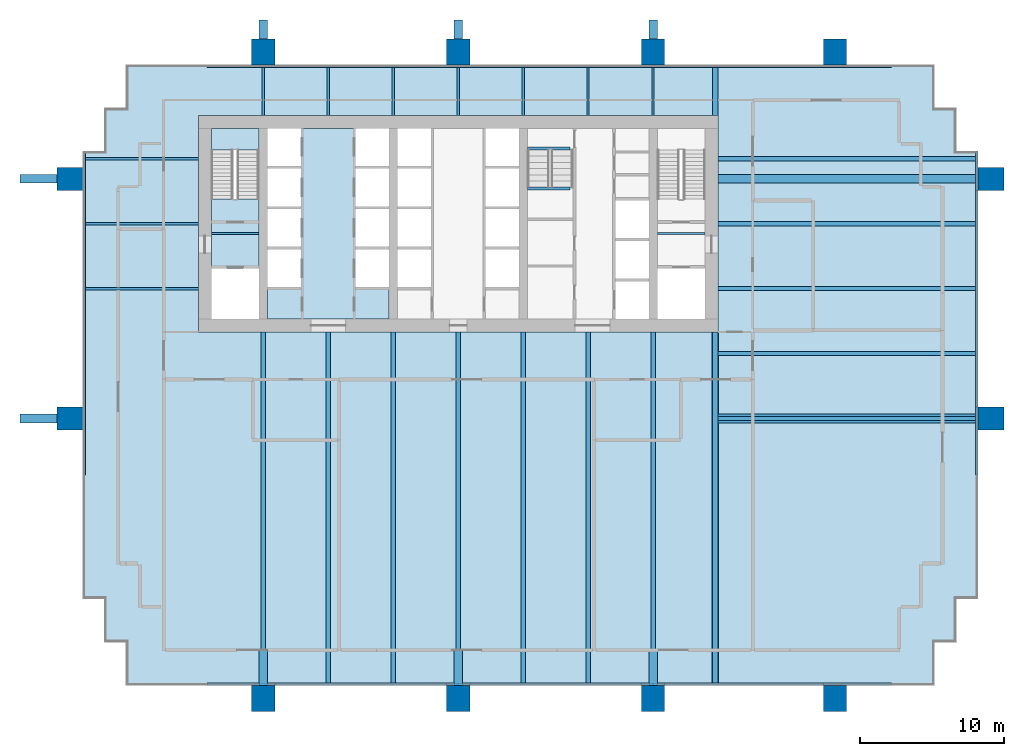
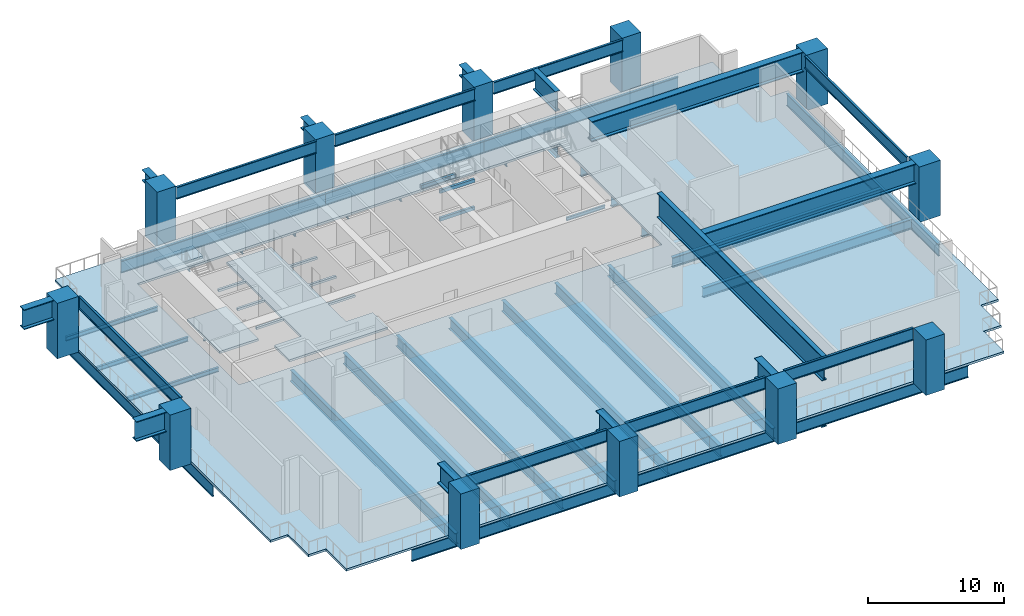
# One storey, part 1 of 9: 57 beams, 12 columns, 4 slabs, 1 element without a shape of its own.
"""IFC4 building model written with IfcOpenShell, lengths in metres."""

from ifc_helpers import new_model, si_unit, direction, frame, origin, origin_2d, place, context, subcontext, project, spatial, polyline, rectangle, i_section, outline, extrude, material, layer, layer_set, material_profile, profile_set, type_object, element, aggregate, save


model = new_model("IFC4")

# Units and contexts
model_context = context("Model", 3, precision=1e-05, world=origin(), true_north=direction((0.0, 1.0)))
body_context = subcontext(model_context, "Body", "Model", "MODEL_VIEW")
ifc_project = project(units=[si_unit("LENGTHUNIT", "METRE"), si_unit("AREAUNIT", "SQUARE_METRE"), si_unit("VOLUMEUNIT", "CUBIC_METRE"), si_unit("PLANEANGLEUNIT", "RADIAN"), si_unit("MASSUNIT", "GRAM", prefix="KILO")], contexts=[model_context])

# Site, building, storey
site_placement = place(None, origin())
site = spatial("IfcSite", under=ifc_project, at=site_placement, CompositionType="ELEMENT")
building_placement = place(site_placement, origin())
building = spatial("IfcBuilding", under=site, at=building_placement, Name="Rattan Terrace Tower", CompositionType="ELEMENT")
storey_placement = place(building_placement, frame((0.0, 0.0, 115.699951171875)))
storey = spatial("IfcBuildingStorey", under=building, at=storey_placement, Name="L26", CompositionType="ELEMENT", Elevation=115.699951171875)

# Columns
ifc_material_1 = material(Name="Concrete C60/75", Category="concrete")
ifc_material_profile_1 = material_profile(ifc_material_1, rectangle(XDim=1.60009765625, YDim=1.800048828125, at=origin_2d()), Name="CFT 1800x1600")
ifc_profile_set_1 = profile_set([ifc_material_profile_1], Name="Concrete C60/75")
column_type = type_object("IfcColumnType", Name="Frame exoskeleton column CFT 1800x1600", PredefinedType="COLUMN", material=ifc_profile_set_1)
for number, where, z_axis, x_axis, name in (
    (1, (-13.5, -32.89990234375, -0.199951171875), (0.0, 0.0, 1.0), (1.0, 0.0, 0.0), "exo-L26-001"),
    (2, (0.0, -32.89990234375, -0.199951171875), (0.0, 0.0, 1.0), (1.0, 0.0, 0.0), "exo-L26-002"),
    (3, (13.5, -32.89990234375, -0.199951171875), (0.0, 0.0, 1.0), (1.0, 0.0, 0.0), "exo-L26-003"),
    (4, (26.10009765625, -32.89990234375, -0.199951171875), (0.0, 0.0, 1.0), (1.0, 0.0, 0.0), "exo-L26-004"),
    (5, (-26.89990234375, -13.5, -0.199951171875), (0.0, 0.0, 1.0), (0.0, 1.0, 0.0), "exo-L26-005"),
    (6, (36.89990234375, -13.5, -0.199951171875), (0.0, 0.0, 1.0), (0.0, 1.0, 0.0), "exo-L26-006"),
    (7, (-26.89990234375, 3.10009765625, -0.199951171875), (0.0, 0.0, 1.0), (0.0, 1.0, 0.0), "exo-L26-007"),
    (8, (36.89990234375, 3.10009765625, -0.199951171875), (0.0, 0.0, 1.0), (0.0, 1.0, 0.0), "exo-L26-008"),
    (9, (-13.5, 11.89990234375, -0.199951171875), (0.0, 0.0, 1.0), (1.0, 0.0, 0.0), "exo-L26-009"),
    (10, (0.0, 11.89990234375, -0.199951171875), (0.0, 0.0, 1.0), (1.0, 0.0, 0.0), "exo-L26-010"),
    (11, (13.5, 11.89990234375, -0.199951171875), (0.0, 0.0, 1.0), (1.0, 0.0, 0.0), "exo-L26-011"),
    (12, (26.10009765625, 11.89990234375, -0.199951171875), (0.0, 0.0, 1.0), (1.0, 0.0, 0.0), "exo-L26-012"),
):
    element("IfcColumn", number, at=place(storey_placement, frame(where, z_axis=z_axis, x_axis=x_axis)), inside=storey, type_object=column_type, Name=name, PredefinedType="COLUMN", context=body_context, shape_type="SweptSolid", body=[
        extrude(rectangle(XDim=1.60009765625, YDim=1.800048828125, at=origin_2d()), origin(), (0.0, 0.0, 1.0), 5.0),
    ])

# Beams
ifc_material_2 = material(Name="Concrete C40/50", Category="concrete")
ifc_material_profile_2 = material_profile(ifc_material_2, rectangle(XDim=0.199951171875, YDim=0.300048828125, at=origin_2d()), Name="RC 200x300")
ifc_profile_set_2 = profile_set([ifc_material_profile_2], Name="Concrete C40/50")
beam_type_1 = type_object("IfcBeamType", Name="Core landing beam RC 200x300", PredefinedType="BEAM", material=ifc_profile_set_2)
for number, where, z_axis, x_axis, name in (
    (13, (4.800048828125, 2.419921875, 0.900146484375), (1.0, 0.0, 0.0), (0.0, 1.0, 0.0), "st-S3-L26 landing 1 edge beam"),
    (14, (4.800048828125, 5.199951171875, 2.150146484375), (1.0, 0.0, 0.0), (0.0, 1.0, 0.0), "st-S3-L26 landing 2 edge beam"),
    (15, (4.800048828125, 2.419921875, 3.400146484375), (1.0, 0.0, 0.0), (0.0, 1.0, 0.0), "st-S3-L26 landing 3 edge beam"),
):
    element("IfcBeam", number, at=place(storey_placement, frame(where, z_axis=z_axis, x_axis=x_axis)), inside=storey, type_object=beam_type_1, Name=name, PredefinedType="BEAM", context=body_context, shape_type="SweptSolid", body=[
        extrude(rectangle(XDim=0.199951171875, YDim=0.300048828125, at=origin_2d()), origin(), (0.0, 0.0, 1.0), 2.949951171875),
    ])
ifc_material_3 = material(Name="Steel S460", Category="steel")
ifc_material_profile_3 = material_profile(ifc_material_3, i_section(OverallWidth=0.39990234375, OverallDepth=1.0, WebThickness=0.01806640625, FlangeThickness=0.044921875, at=origin_2d()), Name="PG 1000x400-18-45")
ifc_profile_set_3 = profile_set([ifc_material_profile_3], Name="Steel S460")
beam_type_2 = type_object("IfcBeamType", Name="Frame core girder PG 1000x400-18-45", PredefinedType="BEAM", material=ifc_profile_set_3)
beam_1_placement = place(storey_placement, frame((17.800048828125, 7.5, -0.699951171875), z_axis=(0.0, 1.0, 0.0), x_axis=(-1.0, 0.0, 0.0)))
element("IfcBeam", 16, at=beam_1_placement, inside=storey, type_object=beam_type_2, Name="gdr-L26-010", PredefinedType="BEAM", context=body_context, shape_type="SweptSolid", body=[
    extrude(i_section(OverallWidth=0.39990234375, OverallDepth=1.0, WebThickness=0.01806640625, FlangeThickness=0.044921875, at=origin_2d()), origin(), (0.0, 0.0, 1.0), 3.320068359375),
])
ifc_material_4 = material(Name="Steel S460", Category="steel")
ifc_material_profile_4 = material_profile(ifc_material_4, i_section(OverallWidth=0.449951171875, OverallDepth=1.39990234375, WebThickness=0.02197265625, FlangeThickness=0.054931640625, at=origin_2d()), Name="PG 1400x450-22-55")
ifc_profile_set_4 = profile_set([ifc_material_profile_4], Name="Steel S460")
beam_type_3 = type_object("IfcBeamType", Name="Frame core girder PG 1400x450-22-55", PredefinedType="BEAM", material=ifc_profile_set_4)
beam_2_placement = place(storey_placement, frame((17.800048828125, -31.820068359375, -0.89990234375), z_axis=(0.0, 1.0, 0.0), x_axis=(-1.0, 0.0, 0.0)))
element("IfcBeam", 17, at=beam_2_placement, inside=storey, type_object=beam_type_3, Name="gdr-L26-009", PredefinedType="BEAM", context=body_context, shape_type="SweptSolid", body=[
    extrude(i_section(OverallWidth=0.449951171875, OverallDepth=1.39990234375, WebThickness=0.02197265625, FlangeThickness=0.054931640625, at=origin_2d()), origin(), (0.0, 0.0, 1.0), 24.320068359375),
])
ifc_material_5 = material(Name="Steel S460", Category="steel")
ifc_material_profile_5 = material_profile(ifc_material_5, i_section(OverallWidth=0.179931640625, OverallDepth=1.10009765625, WebThickness=0.01611328125, FlangeThickness=0.050048828125, at=origin_2d()), Name="PG 1100x180-16-50")
ifc_profile_set_5 = profile_set([ifc_material_profile_5], Name="Steel S460")
beam_type_4 = type_object("IfcBeamType", Name="Frame edge girder PG 1100x180-16-50", PredefinedType="SPANDREL", material=ifc_profile_set_5)
beam_3_placement = place(storey_placement, frame((-17.39990234375, -31.909912109375, -0.75), z_axis=(1.0, 0.0, 0.0), x_axis=(0.0, 1.0, 0.0)))
element("IfcBeam", 18, at=beam_3_placement, inside=storey, type_object=beam_type_4, Name="gdr-L26-001", PredefinedType="SPANDREL", context=body_context, shape_type="SweptSolid", body=[
    extrude(i_section(OverallWidth=0.179931640625, OverallDepth=1.10009765625, WebThickness=0.01611328125, FlangeThickness=0.050048828125, at=origin_2d()), origin(), (0.0, 0.0, 1.0), 17.39990234375),
])
beam_4_placement = place(storey_placement, frame((0.0, -31.909912109375, -0.75), z_axis=(1.0, 0.0, 0.0), x_axis=(0.0, 1.0, 0.0)))
element("IfcBeam", 19, at=beam_4_placement, inside=storey, type_object=beam_type_4, Name="gdr-L26-002", PredefinedType="SPANDREL", context=body_context, shape_type="SweptSolid", body=[
    extrude(i_section(OverallWidth=0.179931640625, OverallDepth=1.10009765625, WebThickness=0.01611328125, FlangeThickness=0.050048828125, at=origin_2d()), origin(), (0.0, 0.0, 1.0), 13.5),
])
beam_5_placement = place(storey_placement, frame((30.0, -31.909912109375, -0.75), z_axis=(-1.0, 0.0, 0.0), x_axis=(0.0, -1.0, 0.0)))
element("IfcBeam", 20, at=beam_5_placement, inside=storey, type_object=beam_type_4, Name="gdr-L26-003", PredefinedType="SPANDREL", context=body_context, shape_type="SweptSolid", body=[
    extrude(i_section(OverallWidth=0.179931640625, OverallDepth=1.10009765625, WebThickness=0.01611328125, FlangeThickness=0.050048828125, at=origin_2d()), origin(), (0.0, 0.0, 1.0), 16.5),
])
for number, where, z_axis, x_axis, name in (
    (21, (-25.909912109375, -17.39990234375, -0.75), (0.0, 1.0, 0.0), (-1.0, 0.0, 0.0), "gdr-L26-004"),
    (22, (35.909912109375, 5.0, -0.75), (0.0, -1.0, 0.0), (1.0, 0.0, 0.0), "gdr-L26-005"),
):
    element("IfcBeam", number, at=place(storey_placement, frame(where, z_axis=z_axis, x_axis=x_axis)), inside=storey, type_object=beam_type_4, Name=name, PredefinedType="SPANDREL", context=body_context, shape_type="SweptSolid", body=[
        extrude(i_section(OverallWidth=0.179931640625, OverallDepth=1.10009765625, WebThickness=0.01611328125, FlangeThickness=0.050048828125, at=origin_2d()), origin(), (0.0, 0.0, 1.0), 22.39990234375),
    ])
beam_6_placement = place(storey_placement, frame((-17.39990234375, 10.909912109375, -0.75), z_axis=(1.0, 0.0, 0.0), x_axis=(0.0, 1.0, 0.0)))
element("IfcBeam", 23, at=beam_6_placement, inside=storey, type_object=beam_type_4, Name="gdr-L26-006", PredefinedType="SPANDREL", context=body_context, shape_type="SweptSolid", body=[
    extrude(i_section(OverallWidth=0.179931640625, OverallDepth=1.10009765625, WebThickness=0.01611328125, FlangeThickness=0.050048828125, at=origin_2d()), origin(), (0.0, 0.0, 1.0), 17.39990234375),
])
beam_7_placement = place(storey_placement, frame((13.5, 10.909912109375, -0.75), z_axis=(-1.0, 0.0, 0.0), x_axis=(0.0, -1.0, 0.0)))
element("IfcBeam", 24, at=beam_7_placement, inside=storey, type_object=beam_type_4, Name="gdr-L26-007", PredefinedType="SPANDREL", context=body_context, shape_type="SweptSolid", body=[
    extrude(i_section(OverallWidth=0.179931640625, OverallDepth=1.10009765625, WebThickness=0.01611328125, FlangeThickness=0.050048828125, at=origin_2d()), origin(), (0.0, 0.0, 1.0), 13.5),
])
beam_8_placement = place(storey_placement, frame((30.0, 10.909912109375, -0.75), z_axis=(-1.0, 0.0, 0.0), x_axis=(0.0, -1.0, 0.0)))
element("IfcBeam", 25, at=beam_8_placement, inside=storey, type_object=beam_type_4, Name="gdr-L26-008", PredefinedType="SPANDREL", context=body_context, shape_type="SweptSolid", body=[
    extrude(i_section(OverallWidth=0.179931640625, OverallDepth=1.10009765625, WebThickness=0.01611328125, FlangeThickness=0.050048828125, at=origin_2d()), origin(), (0.0, 0.0, 1.0), 16.5),
])
ifc_material_6 = material(Name="Steel S355", Category="steel")
ifc_material_profile_6 = material_profile(ifc_material_6, i_section(OverallWidth=0.300048828125, OverallDepth=0.89990234375, WebThickness=0.0185546875, FlangeThickness=0.034912109375, FilletRadius=0.030029296875, at=origin_2d()), Name="HE 900 B")
ifc_profile_set_6 = profile_set([ifc_material_profile_6], Name="Steel S355")
beam_type_5 = type_object("IfcBeamType", Name="Frame floor beam HE 900 B", PredefinedType="JOIST", material=ifc_profile_set_6)
for number, where, z_axis, x_axis, name in (
    (26, (18.0, -13.5, -0.64990234375), (1.0, 0.0, 0.0), (0.0, 1.0, 0.0), "bm-L26-010"),
    (27, (18.0, -9.0, -0.64990234375), (1.0, 0.0, 0.0), (0.0, 1.0, 0.0), "bm-L26-011"),
    (28, (18.0, -4.5, -0.64990234375), (1.0, 0.0, 0.0), (0.0, 1.0, 0.0), "bm-L26-013"),
    (29, (18.0, 0.0, -0.64990234375), (1.0, 0.0, 0.0), (0.0, 1.0, 0.0), "bm-L26-015"),
    (30, (18.0, 4.5, -0.64990234375), (1.0, 0.0, 0.0), (0.0, 1.0, 0.0), "bm-L26-017"),
):
    element("IfcBeam", number, at=place(storey_placement, frame(where, z_axis=z_axis, x_axis=x_axis)), inside=storey, type_object=beam_type_5, Name=name, PredefinedType="JOIST", context=body_context, shape_type="SweptSolid", body=[
        extrude(i_section(OverallWidth=0.300048828125, OverallDepth=0.89990234375, WebThickness=0.0185546875, FlangeThickness=0.034912109375, FilletRadius=0.030029296875, at=origin_2d()), origin(), (0.0, 0.0, 1.0), 17.820068359375),
    ])
ifc_material_7 = material(Name="Steel S355", Category="steel")
ifc_material_profile_7 = material_profile(ifc_material_7, i_section(OverallWidth=0.14990234375, OverallDepth=0.300048828125, WebThickness=0.007080078125, FlangeThickness=0.0107421875, FilletRadius=0.014892578125, at=origin_2d()), Name="IPE 300")
ifc_profile_set_7 = profile_set([ifc_material_profile_7], Name="Steel S355")
beam_type_6 = type_object("IfcBeamType", Name="Frame floor beam IPE 300", PredefinedType="JOIST", material=ifc_profile_set_7)
for number, where, z_axis, x_axis, name in (
    (31, (-17.10009765625, -0.695068359375, -0.349853515625), (1.0, 0.0, 0.0), (0.0, 1.0, 0.0), "bm-L26-001"),
    (32, (13.800048828125, -0.695068359375, -0.349853515625), (1.0, 0.0, 0.0), (0.0, 1.0, 0.0), "bm-L26-002"),
):
    element("IfcBeam", number, at=place(storey_placement, frame(where, z_axis=z_axis, x_axis=x_axis)), inside=storey, type_object=beam_type_6, Name=name, PredefinedType="JOIST", context=body_context, shape_type="SweptSolid", body=[
        extrude(i_section(OverallWidth=0.14990234375, OverallDepth=0.300048828125, WebThickness=0.007080078125, FlangeThickness=0.0107421875, FilletRadius=0.014892578125, at=origin_2d()), origin(), (0.0, 0.0, 1.0), 3.300048828125),
    ])
for number, where, z_axis, x_axis, name in (
    (33, (-13.5, 7.5, -0.349853515625), (0.0, 1.0, 0.0), (-1.0, 0.0, 0.0), "bm-L26-018"),
    (34, (-9.0, 7.5, -0.349853515625), (0.0, 1.0, 0.0), (-1.0, 0.0, 0.0), "bm-L26-019"),
    (35, (-4.5, 7.5, -0.349853515625), (0.0, 1.0, 0.0), (-1.0, 0.0, 0.0), "bm-L26-020"),
    (36, (0.0, 7.5, -0.349853515625), (0.0, 1.0, 0.0), (-1.0, 0.0, 0.0), "bm-L26-021"),
    (37, (4.5, 7.5, -0.349853515625), (0.0, 1.0, 0.0), (-1.0, 0.0, 0.0), "bm-L26-022"),
    (38, (9.0, 7.5, -0.349853515625), (0.0, 1.0, 0.0), (-1.0, 0.0, 0.0), "bm-L26-023"),
    (39, (13.5, 7.5, -0.349853515625), (0.0, 1.0, 0.0), (-1.0, 0.0, 0.0), "bm-L26-024"),
):
    element("IfcBeam", number, at=place(storey_placement, frame(where, z_axis=z_axis, x_axis=x_axis)), inside=storey, type_object=beam_type_6, Name=name, PredefinedType="JOIST", context=body_context, shape_type="SweptSolid", body=[
        extrude(i_section(OverallWidth=0.14990234375, OverallDepth=0.300048828125, WebThickness=0.007080078125, FlangeThickness=0.0107421875, FilletRadius=0.014892578125, at=origin_2d()), origin(), (0.0, 0.0, 1.0), 3.320068359375),
    ])
ifc_material_8 = material(Name="Steel S355", Category="steel")
ifc_material_profile_8 = material_profile(ifc_material_8, i_section(OverallWidth=0.179931640625, OverallDepth=0.39990234375, WebThickness=0.008544921875, FlangeThickness=0.013427734375, FilletRadius=0.02099609375, at=origin_2d()), Name="IPE 400")
ifc_profile_set_8 = profile_set([ifc_material_profile_8], Name="Steel S355")
beam_type_7 = type_object("IfcBeamType", Name="Frame floor beam IPE 400", PredefinedType="JOIST", material=ifc_profile_set_8)
for number, where, z_axis, x_axis, name in (
    (40, (-25.820068359375, -4.5, -0.39990234375), (1.0, 0.0, 0.0), (0.0, 1.0, 0.0), "bm-L26-012"),
    (41, (-25.820068359375, 0.0, -0.39990234375), (1.0, 0.0, 0.0), (0.0, 1.0, 0.0), "bm-L26-014"),
    (42, (-25.820068359375, 4.5, -0.39990234375), (1.0, 0.0, 0.0), (0.0, 1.0, 0.0), "bm-L26-016"),
):
    element("IfcBeam", number, at=place(storey_placement, frame(where, z_axis=z_axis, x_axis=x_axis)), inside=storey, type_object=beam_type_7, Name=name, PredefinedType="JOIST", context=body_context, shape_type="SweptSolid", body=[
        extrude(i_section(OverallWidth=0.179931640625, OverallDepth=0.39990234375, WebThickness=0.008544921875, FlangeThickness=0.013427734375, FilletRadius=0.02099609375, at=origin_2d()), origin(), (0.0, 0.0, 1.0), 7.820068359375),
    ])
ifc_material_9 = material(Name="Steel S460", Category="steel")
ifc_material_profile_9 = material_profile(ifc_material_9, i_section(OverallWidth=0.300048828125, OverallDepth=1.0, WebThickness=0.013916015625, FlangeThickness=0.0400390625, at=origin_2d()), Name="PG 1000x300-14-40")
ifc_profile_set_9 = profile_set([ifc_material_profile_9], Name="Steel S460")
beam_type_8 = type_object("IfcBeamType", Name="Frame floor beam PG 1000x300-14-40", PredefinedType="JOIST", material=ifc_profile_set_9)
for number, where, z_axis, x_axis, name in (
    (43, (-13.5, -31.820068359375, -0.699951171875), (0.0, 1.0, 0.0), (-1.0, 0.0, 0.0), "bm-L26-003"),
    (44, (-9.0, -31.820068359375, -0.699951171875), (0.0, 1.0, 0.0), (-1.0, 0.0, 0.0), "bm-L26-004"),
    (45, (-4.5, -31.820068359375, -0.699951171875), (0.0, 1.0, 0.0), (-1.0, 0.0, 0.0), "bm-L26-005"),
    (46, (0.0, -31.820068359375, -0.699951171875), (0.0, 1.0, 0.0), (-1.0, 0.0, 0.0), "bm-L26-006"),
    (47, (4.5, -31.820068359375, -0.699951171875), (0.0, 1.0, 0.0), (-1.0, 0.0, 0.0), "bm-L26-007"),
    (48, (9.0, -31.820068359375, -0.699951171875), (0.0, 1.0, 0.0), (-1.0, 0.0, 0.0), "bm-L26-008"),
    (49, (13.5, -31.820068359375, -0.699951171875), (0.0, 1.0, 0.0), (-1.0, 0.0, 0.0), "bm-L26-009"),
):
    element("IfcBeam", number, at=place(storey_placement, frame(where, z_axis=z_axis, x_axis=x_axis)), inside=storey, type_object=beam_type_8, Name=name, PredefinedType="JOIST", context=body_context, shape_type="SweptSolid", body=[
        extrude(i_section(OverallWidth=0.300048828125, OverallDepth=1.0, WebThickness=0.013916015625, FlangeThickness=0.0400390625, at=origin_2d()), origin(), (0.0, 0.0, 1.0), 24.320068359375),
    ])
ifc_material_10 = material(Name="Steel S460", Category="steel")
ifc_material_profile_10 = material_profile(ifc_material_10, i_section(OverallWidth=0.60009765625, OverallDepth=1.0, WebThickness=0.0400390625, FlangeThickness=0.070068359375, at=origin_2d()), Name="PG 1000x600-40-70")
ifc_profile_set_10 = profile_set([ifc_material_profile_10], Name="Steel S460")
beam_type_9 = type_object("IfcBeamType", Name="Frame transfer girder PG 1000x600-40-70", PredefinedType="USERDEFINED", material=ifc_profile_set_10)
for number, where, z_axis, x_axis, name in (
    (50, (-13.5, 12.800048828125, 4.300048828125), (0.0, 1.0, 0.0), (-1.0, 0.0, 0.0), "trf-L26-016"),
    (51, (0.0, 12.800048828125, 4.300048828125), (0.0, 1.0, 0.0), (-1.0, 0.0, 0.0), "trf-L26-018"),
    (52, (13.5, 12.800048828125, 4.300048828125), (0.0, 1.0, 0.0), (-1.0, 0.0, 0.0), "trf-L26-020"),
):
    element("IfcBeam", number, at=place(storey_placement, frame(where, z_axis=z_axis, x_axis=x_axis)), inside=storey, type_object=beam_type_9, Name=name, ObjectType="TRANSFER GIRDER", PredefinedType="USERDEFINED", context=body_context, shape_type="SweptSolid", body=[
        extrude(i_section(OverallWidth=0.60009765625, OverallDepth=1.0, WebThickness=0.0400390625, FlangeThickness=0.070068359375, at=origin_2d()), origin(), (0.0, 0.0, 1.0), 1.300048828125),
    ])
ifc_material_11 = material(Name="Steel S460", Category="steel")
ifc_material_profile_11 = material_profile(ifc_material_11, i_section(OverallWidth=0.179931640625, OverallDepth=1.10009765625, WebThickness=0.01611328125, FlangeThickness=0.050048828125, at=origin_2d()), Name="PG 1100x180-16-50")
ifc_profile_set_11 = profile_set([ifc_material_profile_11], Name="Steel S460")
beam_type_10 = type_object("IfcBeamType", Name="Frame transfer girder PG 1100x180-16-50", PredefinedType="USERDEFINED", material=ifc_profile_set_11)
beam_9_placement = place(storey_placement, frame((35.909912109375, -12.699951171875, 4.25), z_axis=(0.0, 1.0, 0.0), x_axis=(-1.0, 0.0, 0.0)))
element("IfcBeam", 53, at=beam_9_placement, inside=storey, type_object=beam_type_10, Name="trf-L26-001", ObjectType="TRANSFER GIRDER", PredefinedType="USERDEFINED", context=body_context, shape_type="SweptSolid", body=[
    extrude(i_section(OverallWidth=0.179931640625, OverallDepth=1.10009765625, WebThickness=0.01611328125, FlangeThickness=0.050048828125, at=origin_2d()), origin(), (0.0, 0.0, 1.0), 15.0),
])
beam_10_placement = place(storey_placement, frame((25.300048828125, 10.909912109375, 4.25), z_axis=(-1.0, 0.0, 0.0), x_axis=(0.0, -1.0, 0.0)))
element("IfcBeam", 54, at=beam_10_placement, inside=storey, type_object=beam_type_10, Name="trf-L26-002", ObjectType="TRANSFER GIRDER", PredefinedType="USERDEFINED", context=body_context, shape_type="SweptSolid", body=[
    extrude(i_section(OverallWidth=0.179931640625, OverallDepth=1.10009765625, WebThickness=0.01611328125, FlangeThickness=0.050048828125, at=origin_2d()), origin(), (0.0, 0.0, 1.0), 11.0),
])
for number, where, z_axis, x_axis, name in (
    (55, (12.699951171875, 10.909912109375, 4.25), (-1.0, 0.0, 0.0), (0.0, -1.0, 0.0), "trf-L26-003"),
    (56, (-0.800048828125, 10.909912109375, 4.25), (-1.0, 0.0, 0.0), (0.0, -1.0, 0.0), "trf-L26-004"),
):
    element("IfcBeam", number, at=place(storey_placement, frame(where, z_axis=z_axis, x_axis=x_axis)), inside=storey, type_object=beam_type_10, Name=name, ObjectType="TRANSFER GIRDER", PredefinedType="USERDEFINED", context=body_context, shape_type="SweptSolid", body=[
        extrude(i_section(OverallWidth=0.179931640625, OverallDepth=1.10009765625, WebThickness=0.01611328125, FlangeThickness=0.050048828125, at=origin_2d()), origin(), (0.0, 0.0, 1.0), 11.89990234375),
    ])
beam_11_placement = place(storey_placement, frame((-25.909912109375, 2.300048828125, 4.25), z_axis=(0.0, -1.0, 0.0), x_axis=(1.0, 0.0, 0.0)))
element("IfcBeam", 57, at=beam_11_placement, inside=storey, type_object=beam_type_10, Name="trf-L26-005", ObjectType="TRANSFER GIRDER", PredefinedType="USERDEFINED", context=body_context, shape_type="SweptSolid", body=[
    extrude(i_section(OverallWidth=0.179931640625, OverallDepth=1.10009765625, WebThickness=0.01611328125, FlangeThickness=0.050048828125, at=origin_2d()), origin(), (0.0, 0.0, 1.0), 15.0),
])
for number, where, z_axis, x_axis, name in (
    (58, (-12.699951171875, -31.909912109375, 4.25), (1.0, 0.0, 0.0), (0.0, 1.0, 0.0), "trf-L26-006"),
    (59, (0.800048828125, -31.909912109375, 4.25), (1.0, 0.0, 0.0), (0.0, 1.0, 0.0), "trf-L26-007"),
):
    element("IfcBeam", number, at=place(storey_placement, frame(where, z_axis=z_axis, x_axis=x_axis)), inside=storey, type_object=beam_type_10, Name=name, ObjectType="TRANSFER GIRDER", PredefinedType="USERDEFINED", context=body_context, shape_type="SweptSolid", body=[
        extrude(i_section(OverallWidth=0.179931640625, OverallDepth=1.10009765625, WebThickness=0.01611328125, FlangeThickness=0.050048828125, at=origin_2d()), origin(), (0.0, 0.0, 1.0), 11.89990234375),
    ])
beam_12_placement = place(storey_placement, frame((14.300048828125, -31.909912109375, 4.25), z_axis=(1.0, 0.0, 0.0), x_axis=(0.0, 1.0, 0.0)))
element("IfcBeam", 60, at=beam_12_placement, inside=storey, type_object=beam_type_10, Name="trf-L26-008", ObjectType="TRANSFER GIRDER", PredefinedType="USERDEFINED", context=body_context, shape_type="SweptSolid", body=[
    extrude(i_section(OverallWidth=0.179931640625, OverallDepth=1.10009765625, WebThickness=0.01611328125, FlangeThickness=0.050048828125, at=origin_2d()), origin(), (0.0, 0.0, 1.0), 11.0),
])
ifc_material_12 = material(Name="Steel S460", Category="steel")
ifc_material_profile_12 = material_profile(ifc_material_12, i_section(OverallWidth=0.39990234375, OverallDepth=1.800048828125, WebThickness=0.030029296875, FlangeThickness=0.06005859375, at=origin_2d()), Name="PG 1800x400-30-60")
ifc_profile_set_12 = profile_set([ifc_material_profile_12], Name="Steel S460")
beam_type_11 = type_object("IfcBeamType", Name="Frame transfer girder PG 1800x400-30-60", PredefinedType="USERDEFINED", material=ifc_profile_set_12)
beam_13_placement = place(storey_placement, frame((17.800048828125, 7.5, 3.900146484375), z_axis=(0.0, 1.0, 0.0), x_axis=(-1.0, 0.0, 0.0)))
element("IfcBeam", 61, at=beam_13_placement, inside=storey, type_object=beam_type_11, Name="trf-L26-010", ObjectType="TRANSFER GIRDER", PredefinedType="USERDEFINED", context=body_context, shape_type="SweptSolid", body=[
    extrude(i_section(OverallWidth=0.39990234375, OverallDepth=1.800048828125, WebThickness=0.030029296875, FlangeThickness=0.06005859375, at=origin_2d()), origin(), (0.0, 0.0, 1.0), 3.320068359375),
])
ifc_material_13 = material(Name="Steel S460", Category="steel")
ifc_material_profile_13 = material_profile(ifc_material_13, i_section(OverallWidth=0.60009765625, OverallDepth=1.800048828125, WebThickness=0.0400390625, FlangeThickness=0.070068359375, at=origin_2d()), Name="PG 1800x600-40-70")
ifc_profile_set_13 = profile_set([ifc_material_profile_13], Name="Steel S460")
beam_type_12 = type_object("IfcBeamType", Name="Frame transfer girder PG 1800x600-40-70", PredefinedType="USERDEFINED", material=ifc_profile_set_13)
beam_14_placement = place(storey_placement, frame((-30.35009765625, -13.5, 3.900146484375), z_axis=(1.0, 0.0, 0.0), x_axis=(0.0, 1.0, 0.0)))
element("IfcBeam", 62, at=beam_14_placement, inside=storey, type_object=beam_type_12, Name="trf-L26-011", ObjectType="TRANSFER GIRDER", PredefinedType="USERDEFINED", context=body_context, shape_type="SweptSolid", body=[
    extrude(i_section(OverallWidth=0.60009765625, OverallDepth=1.800048828125, WebThickness=0.0400390625, FlangeThickness=0.070068359375, at=origin_2d()), origin(), (0.0, 0.0, 1.0), 2.550048828125),
])
beam_15_placement = place(storey_placement, frame((18.0, -13.5, 3.900146484375), z_axis=(1.0, 0.0, 0.0), x_axis=(0.0, 1.0, 0.0)))
element("IfcBeam", 63, at=beam_15_placement, inside=storey, type_object=beam_type_12, Name="trf-L26-012", ObjectType="TRANSFER GIRDER", PredefinedType="USERDEFINED", context=body_context, shape_type="SweptSolid", body=[
    extrude(i_section(OverallWidth=0.60009765625, OverallDepth=1.800048828125, WebThickness=0.0400390625, FlangeThickness=0.070068359375, at=origin_2d()), origin(), (0.0, 0.0, 1.0), 18.0),
])
beam_16_placement = place(storey_placement, frame((-30.35009765625, 3.10009765625, 3.900146484375), z_axis=(1.0, 0.0, 0.0), x_axis=(0.0, 1.0, 0.0)))
element("IfcBeam", 64, at=beam_16_placement, inside=storey, type_object=beam_type_12, Name="trf-L26-013", ObjectType="TRANSFER GIRDER", PredefinedType="USERDEFINED", context=body_context, shape_type="SweptSolid", body=[
    extrude(i_section(OverallWidth=0.60009765625, OverallDepth=1.800048828125, WebThickness=0.0400390625, FlangeThickness=0.070068359375, at=origin_2d()), origin(), (0.0, 0.0, 1.0), 2.550048828125),
])
beam_17_placement = place(storey_placement, frame((18.0, 3.10009765625, 3.900146484375), z_axis=(1.0, 0.0, 0.0), x_axis=(0.0, 1.0, 0.0)))
element("IfcBeam", 65, at=beam_17_placement, inside=storey, type_object=beam_type_12, Name="trf-L26-014", ObjectType="TRANSFER GIRDER", PredefinedType="USERDEFINED", context=body_context, shape_type="SweptSolid", body=[
    extrude(i_section(OverallWidth=0.60009765625, OverallDepth=1.800048828125, WebThickness=0.0400390625, FlangeThickness=0.070068359375, at=origin_2d()), origin(), (0.0, 0.0, 1.0), 18.0),
])
for number, where, z_axis, x_axis, name in (
    (66, (-13.5, -32.0, 3.900146484375), (0.0, 1.0, 0.0), (-1.0, 0.0, 0.0), "trf-L26-015"),
    (67, (0.0, -32.0, 3.900146484375), (0.0, 1.0, 0.0), (-1.0, 0.0, 0.0), "trf-L26-017"),
    (68, (13.5, -32.0, 3.900146484375), (0.0, 1.0, 0.0), (-1.0, 0.0, 0.0), "trf-L26-019"),
):
    element("IfcBeam", number, at=place(storey_placement, frame(where, z_axis=z_axis, x_axis=x_axis)), inside=storey, type_object=beam_type_12, Name=name, ObjectType="TRANSFER GIRDER", PredefinedType="USERDEFINED", context=body_context, shape_type="SweptSolid", body=[
        extrude(i_section(OverallWidth=0.60009765625, OverallDepth=1.800048828125, WebThickness=0.0400390625, FlangeThickness=0.070068359375, at=origin_2d()), origin(), (0.0, 0.0, 1.0), 2.5),
    ])
ifc_material_14 = material(Name="Steel S460", Category="steel")
ifc_material_profile_14 = material_profile(ifc_material_14, i_section(OverallWidth=0.39990234375, OverallDepth=2.199951171875, WebThickness=0.030029296875, FlangeThickness=0.06005859375, at=origin_2d()), Name="PG 2200x400-30-60")
ifc_profile_set_14 = profile_set([ifc_material_profile_14], Name="Steel S460")
beam_type_13 = type_object("IfcBeamType", Name="Frame transfer girder PG 2200x400-30-60", PredefinedType="USERDEFINED", material=ifc_profile_set_14)
beam_18_placement = place(storey_placement, frame((17.800048828125, -31.820068359375, 3.699951171875), z_axis=(0.0, 1.0, 0.0), x_axis=(-1.0, 0.0, 0.0)))
element("IfcBeam", 69, at=beam_18_placement, inside=storey, type_object=beam_type_13, Name="trf-L26-009", ObjectType="TRANSFER GIRDER", PredefinedType="USERDEFINED", context=body_context, shape_type="SweptSolid", body=[
    extrude(i_section(OverallWidth=0.39990234375, OverallDepth=2.199951171875, WebThickness=0.030029296875, FlangeThickness=0.06005859375, at=origin_2d()), origin(), (0.0, 0.0, 1.0), 24.320068359375),
])

# Stair, slab
ifc_material_15 = material(Name="Concrete C40/50", Category="concrete")
stair_type = type_object("IfcStairType", Name="Core exit stair 1500", PredefinedType="HALF_TURN_STAIR", material=ifc_material_15)
stair_placement = place(storey_placement, origin())
stair = element("IfcStair", 70, at=stair_placement, inside=storey, type_object=stair_type, Name="L26 exit stair 1", PredefinedType="HALF_TURN_STAIR")
ifc_material_16 = material(Name="Concrete C40/50", Category="concrete")
ifc_layer_1 = layer(ifc_material_16, 0.199951171875)
ifc_layer_set_1 = layer_set([ifc_layer_1], Name="Core exit stair landing")
slab_type_1 = type_object("IfcSlabType", Name="Core exit stair landing", PredefinedType="LANDING", material=ifc_layer_set_1)
slab_1_placement = place(storey_placement, frame((0.0, 0.0, 2.300048828125)))
slab_1 = element("IfcSlab", 71, at=slab_1_placement, type_object=slab_type_1, Name="S1 landing 1", PredefinedType="LANDING", context=body_context, shape_type="SweptSolid", body=[
    extrude(outline(polyline([(-13.800048828125, 5.080078125), (-13.800048828125, 6.60009765625), (-17.10009765625, 6.60009765625), (-17.10009765625, 5.080078125), (-13.800048828125, 5.080078125)])), origin(), (0.0, 0.0, 1.0), 0.199951171875),
])
aggregate(stair, [slab_1])

# Slabs
ifc_material_17 = material(Name="Concrete C35/45", Category="concrete")
ifc_layer_2 = layer(ifc_material_17, 0.199951171875)
ifc_layer_set_2 = layer_set([ifc_layer_2], Name="Frame refuge floor slab 200")
slab_type_2 = type_object("IfcSlabType", Name="Frame refuge floor slab 200", PredefinedType="FLOOR", material=ifc_layer_set_2)
slab_2_placement = place(storey_placement, frame((0.0, 0.0, -0.199951171875)))
element("IfcSlab", 72, at=slab_2_placement, inside=storey, type_object=slab_type_2, Name="Floor slab", PredefinedType="FLOOR", context=body_context, shape_type="SweptSolid", body=[
    extrude(outline(polyline([(-20.0, -32.0), (30.0, -32.0), (33.0, -32.0), (33.0, -29.0), (34.5, -29.0), (34.5, -26.0), (36.0, -26.0), (36.0, 5.0), (34.5, 5.0), (34.5, 8.0), (33.0, 8.0), (33.0, 11.0), (30.0, 11.0), (-20.0, 11.0), (-23.0, 11.0), (-23.0, 8.0), (-24.5, 8.0), (-24.5, 5.0), (-26.0, 5.0), (-26.0, -26.0), (-24.5, -26.0), (-24.5, -29.0), (-23.0, -29.0), (-23.0, -32.0), (-20.0, -32.0)]), holes=[polyline([(-18.0, -6.60009765625), (-18.0, -7.5), (18.0, -7.5), (18.0, -6.60009765625), (18.0, 6.60009765625), (18.0, 7.5), (-18.0, 7.5), (-18.0, 6.60009765625), (-18.0, -6.60009765625)])]), origin(), (0.0, 0.0, 1.0), 0.199951171875),
])
slab_3_placement = place(storey_placement, frame((0.0, 0.0, -0.199951171875)))
element("IfcSlab", 73, at=slab_3_placement, inside=storey, type_object=slab_type_2, Name="Floor slab", PredefinedType="FLOOR", context=body_context, shape_type="SweptSolid", body=[
    extrude(outline(polyline([(-10.89990234375, 6.60009765625), (-10.89990234375, 4.0), (-13.199951171875, 4.0), (-13.199951171875, 3.800048828125), (-10.89990234375, 3.800048828125), (-10.89990234375, 1.199951171875), (-13.199951171875, 1.199951171875), (-13.199951171875, 1.0), (-10.89990234375, 1.0), (-10.89990234375, -1.60009765625), (-13.199951171875, -1.60009765625), (-13.199951171875, -1.800048828125), (-10.89990234375, -1.800048828125), (-10.89990234375, -4.39990234375), (-13.199951171875, -4.39990234375), (-13.199951171875, -6.60009765625), (-4.800048828125, -6.60009765625), (-4.800048828125, -4.39990234375), (-7.10009765625, -4.39990234375), (-7.10009765625, -1.800048828125), (-4.800048828125, -1.800048828125), (-4.800048828125, -1.60009765625), (-7.10009765625, -1.60009765625), (-7.10009765625, 1.0), (-4.800048828125, 1.0), (-4.800048828125, 1.199951171875), (-7.10009765625, 1.199951171875), (-7.10009765625, 3.800048828125), (-4.800048828125, 3.800048828125), (-4.800048828125, 4.0), (-7.10009765625, 4.0), (-7.10009765625, 6.60009765625), (-10.89990234375, 6.60009765625)])), origin(), (0.0, 0.0, 1.0), 0.199951171875),
])
slab_4_placement = place(storey_placement, frame((0.0, 0.0, -0.199951171875)))
element("IfcSlab", 74, at=slab_4_placement, inside=storey, type_object=slab_type_2, Name="Floor slab", PredefinedType="FLOOR", context=body_context, shape_type="SweptSolid", body=[
    extrude(outline(polyline([(-17.10009765625, -3.10009765625), (-13.800048828125, -3.10009765625), (-13.800048828125, 1.7099609375), (-17.10009765625, 1.7099609375), (-17.10009765625, -3.10009765625)])), origin(), (0.0, 0.0, 1.0), 0.199951171875),
])

save(model, "model.ifc")
